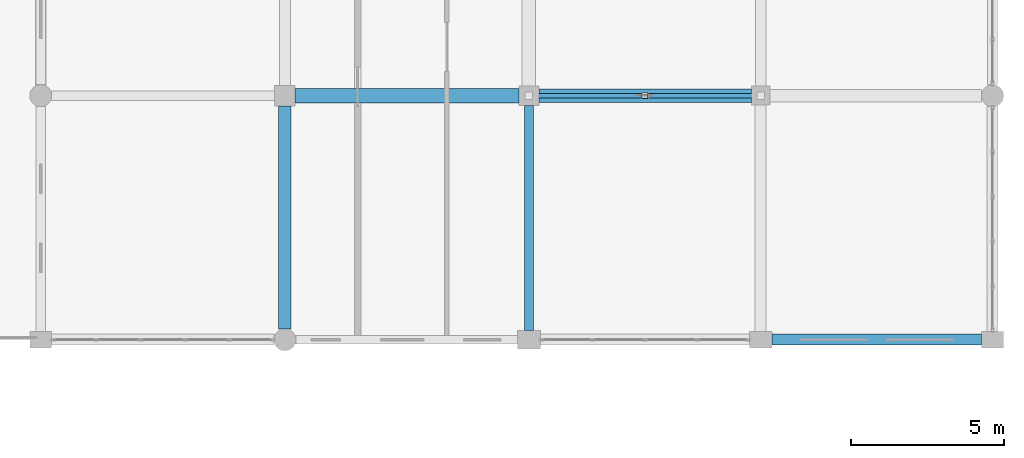
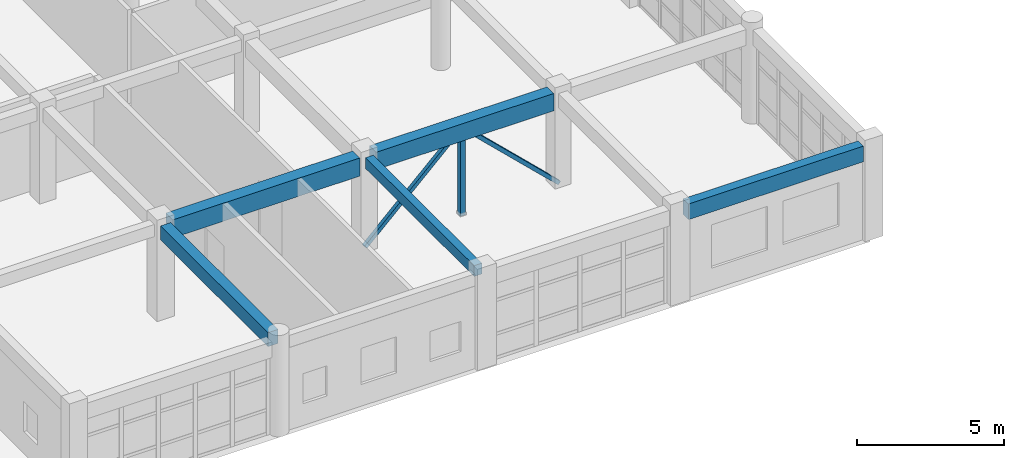
# One storey, part 126 of 195: 5 beams, 3 members.
"""IFC4 building model written with IfcOpenShell, lengths in metres."""

from ifc_helpers import new_model, si_unit, direction, frame, origin, origin_2d, place, context, subcontext, project, spatial, rectangle, hollow_rectangle, extrude, material, material_profile, profile_set, type_object, element, save


model = new_model("IFC4")

# Units and contexts
model_context = context("Model", 3, precision=1e-05, world=origin(), true_north=direction((0.0, 1.0)))
body_context = subcontext(model_context, "Body", "Model", "MODEL_VIEW")
ifc_project = project(units=[si_unit("LENGTHUNIT", "METRE"), si_unit("AREAUNIT", "SQUARE_METRE"), si_unit("VOLUMEUNIT", "CUBIC_METRE"), si_unit("PLANEANGLEUNIT", "RADIAN"), si_unit("MASSUNIT", "GRAM", prefix="KILO")], contexts=[model_context])

# Site, building, storey
site_placement = place(None, origin())
site = spatial("IfcSite", under=ifc_project, at=site_placement, CompositionType="ELEMENT")
building_placement = place(site_placement, origin())
building = spatial("IfcBuilding", under=site, at=building_placement, Name="Kharva Crest Polytechnic", CompositionType="ELEMENT")
storey_placement = place(building_placement, frame((0.0, 0.0, 9.0)))
storey = spatial("IfcBuildingStorey", under=building, at=storey_placement, Name="L02", CompositionType="ELEMENT", Elevation=9.0)

# Beams
ifc_material_1 = material(Name="Concrete C35/45", Category="concrete")
ifc_material_profile_1 = material_profile(ifc_material_1, rectangle(XDim=0.300048828125, YDim=0.449951171875, at=origin_2d()), Name="RECT 300 X 450")
ifc_profile_set_1 = profile_set([ifc_material_profile_1], Name="Concrete C35/45")
beam_type_1 = type_object("IfcBeamType", Name="BM-RC-300X450", PredefinedType="BEAM", material=ifc_profile_set_1)
beam_1_placement = place(storey_placement, frame((168.800048828125, 39.10009765625, 3.695068359375), z_axis=(0.0, 1.0, 0.0), x_axis=(-1.0, 0.0, 0.0)))
element("IfcBeam", 1, at=beam_1_placement, inside=storey, type_object=beam_type_1, Name="L02 Girder 22/FJ-G", PredefinedType="BEAM", context=body_context, shape_type="SweptSolid", body=[
    extrude(rectangle(XDim=0.300048828125, YDim=0.449951171875, at=origin_2d()), origin(), (0.0, 0.0, 1.0), 7.375),
])
ifc_material_profile_2 = material_profile(ifc_material_1, rectangle(XDim=0.39990234375, YDim=0.580078125, at=origin_2d()), Name="RECT 400 X 580")
ifc_profile_set_2 = profile_set([ifc_material_profile_2], Name="Concrete C35/45")
beam_type_2 = type_object("IfcBeamType", Name="BM-RC-400X580", PredefinedType="BEAM", material=ifc_profile_set_2)
beam_2_placement = place(storey_placement, frame((160.800048828125, 39.159912109375, 3.6298828125), z_axis=(0.0, 1.0, 0.0), x_axis=(-1.0, 0.0, 0.0)))
element("IfcBeam", 2, at=beam_2_placement, inside=storey, type_object=beam_type_2, Name="L02 Girder 21/FJ-G", PredefinedType="BEAM", context=body_context, shape_type="SweptSolid", body=[
    extrude(rectangle(XDim=0.39990234375, YDim=0.580078125, at=origin_2d()), origin(), (0.0, 0.0, 1.0), 7.300048828125),
])
ifc_material_profile_3 = material_profile(ifc_material_1, rectangle(XDim=0.449951171875, YDim=0.719970703125, at=origin_2d()), Name="RECT 450 X 720")
ifc_profile_set_3 = profile_set([ifc_material_profile_3], Name="Concrete C35/45")
beam_type_3 = type_object("IfcBeamType", Name="BM-RC-450X720", PredefinedType="BEAM", material=ifc_profile_set_3)
beam_3_placement = place(storey_placement, frame((169.125, 46.800048828125, 3.56005859375), z_axis=(1.0, 0.0, 0.0), x_axis=(0.0, 1.0, 0.0)))
element("IfcBeam", 3, at=beam_3_placement, inside=storey, type_object=beam_type_3, Name="L02 Beam G/22-23", PredefinedType="BEAM", context=body_context, shape_type="SweptSolid", body=[
    extrude(rectangle(XDim=0.449951171875, YDim=0.719970703125, at=origin_2d()), origin(), (0.0, 0.0, 1.0), 6.965087890625),
])
ifc_material_profile_4 = material_profile(ifc_material_1, rectangle(XDim=0.47998046875, YDim=0.75, at=origin_2d()), Name="RECT 480 X 750")
ifc_profile_set_4 = profile_set([ifc_material_profile_4], Name="Concrete C35/45")
beam_type_4 = type_object("IfcBeamType", Name="BM-RC-480X750", PredefinedType="BEAM", material=ifc_profile_set_4)
beam_4_placement = place(storey_placement, frame((161.139892578125, 46.800048828125, 3.544921875), z_axis=(1.0, 0.0, 0.0), x_axis=(0.0, 1.0, 0.0)))
element("IfcBeam", 4, at=beam_4_placement, inside=storey, type_object=beam_type_4, Name="L02 Beam G/21-22", PredefinedType="BEAM", context=body_context, shape_type="SweptSolid", body=[
    extrude(rectangle(XDim=0.47998046875, YDim=0.75, at=origin_2d()), origin(), (0.0, 0.0, 1.0), 7.335205078125),
])

# Members
ifc_material_2 = material(Name="Steel S355", Category="steel")
ifc_material_profile_5 = material_profile(ifc_material_2, hollow_rectangle(XDim=0.14990234375, YDim=0.14990234375, WallThickness=0.00634765625, at=origin_2d()), Name="RHS 150X150X6.3")
ifc_profile_set_5 = profile_set([ifc_material_profile_5], Name="Steel S355")
member_type_1 = type_object("IfcMemberType", Name="MEM-RHS150-BR", PredefinedType="BRACE", material=ifc_profile_set_5)
member_1_placement = place(storey_placement, frame((168.800048828125, 46.800048828125, 0.0), z_axis=(0.721211369629, 0.0, 0.692715064308), x_axis=(0.0, 1.0, 0.0)))
element("IfcMember", 5, at=member_1_placement, inside=storey, type_object=member_type_1, Name="L02 Braced Frame 9 Diagonal A", PredefinedType="BRACE", context=body_context, shape_type="SweptSolid", body=[
    extrude(hollow_rectangle(XDim=0.14990234375, YDim=0.14990234375, WallThickness=0.00634765625, at=origin_2d()), origin(), (0.0, 0.0, 1.0), 5.26904296875),
])
member_2_placement = place(storey_placement, frame((176.39990234375, 46.800048828125, 0.0), z_axis=(-0.721189134253, 0.0, 0.692738213639), x_axis=(0.0, -1.0, 0.0)))
element("IfcMember", 6, at=member_2_placement, inside=storey, type_object=member_type_1, Name="L02 Braced Frame 9 Diagonal B", PredefinedType="BRACE", context=body_context, shape_type="SweptSolid", body=[
    extrude(hollow_rectangle(XDim=0.14990234375, YDim=0.14990234375, WallThickness=0.00634765625, at=origin_2d()), origin(), (0.0, 0.0, 1.0), 5.268798828125),
])
ifc_material_profile_6 = material_profile(ifc_material_2, hollow_rectangle(XDim=0.199951171875, YDim=0.199951171875, WallThickness=0.008056640625, at=origin_2d()), Name="RHS 200X200X8.0")
ifc_profile_set_6 = profile_set([ifc_material_profile_6], Name="Steel S355")
member_type_2 = type_object("IfcMemberType", Name="MEM-RHS200-ST", PredefinedType="STRUT", material=ifc_profile_set_6)
member_3_placement = place(storey_placement, frame((172.60009765625, 46.800048828125, 0.0), z_axis=(0.0, 0.0, 1.0), x_axis=(1.0, 0.0, 0.0)))
element("IfcMember", 7, at=member_3_placement, inside=storey, type_object=member_type_2, Name="L02 Braced Frame 9 King Strut", PredefinedType="STRUT", context=body_context, shape_type="SweptSolid", body=[
    extrude(hollow_rectangle(XDim=0.199951171875, YDim=0.199951171875, WallThickness=0.008056640625, at=origin_2d()), origin(), (0.0, 0.0, 1.0), 3.64990234375),
])

# Beam
ifc_material_profile_7 = material_profile(ifc_material_1, rectangle(XDim=0.360107421875, YDim=0.64990234375, at=origin_2d()), Name="RECT 360 X 650")
ifc_profile_set_7 = profile_set([ifc_material_profile_7], Name="Concrete C35/45")
beam_type_5 = type_object("IfcBeamType", Name="SP-RC-360X650", PredefinedType="SPANDREL", material=ifc_profile_set_7)
beam_5_placement = place(storey_placement, frame((176.77490234375, 38.800048828125, 3.594970703125), z_axis=(1.0, 0.0, 0.0), x_axis=(0.0, 1.0, 0.0)))
element("IfcBeam", 8, at=beam_5_placement, inside=storey, type_object=beam_type_5, Name="L02 Beam FJ/23-24", PredefinedType="SPANDREL", context=body_context, shape_type="SweptSolid", body=[
    extrude(rectangle(XDim=0.360107421875, YDim=0.64990234375, at=origin_2d()), origin(), (0.0, 0.0, 1.0), 6.864990234375),
])

save(model, "model.ifc")
